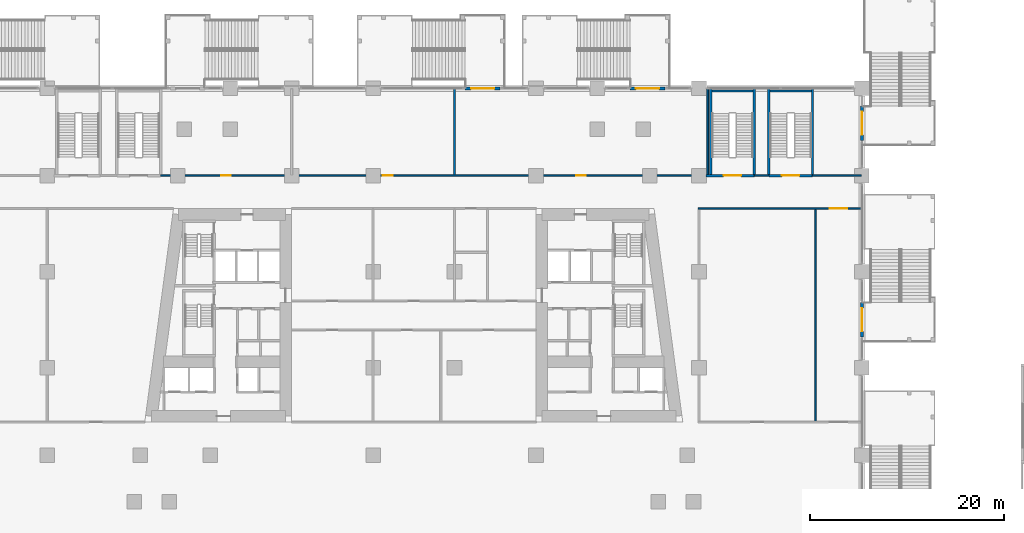
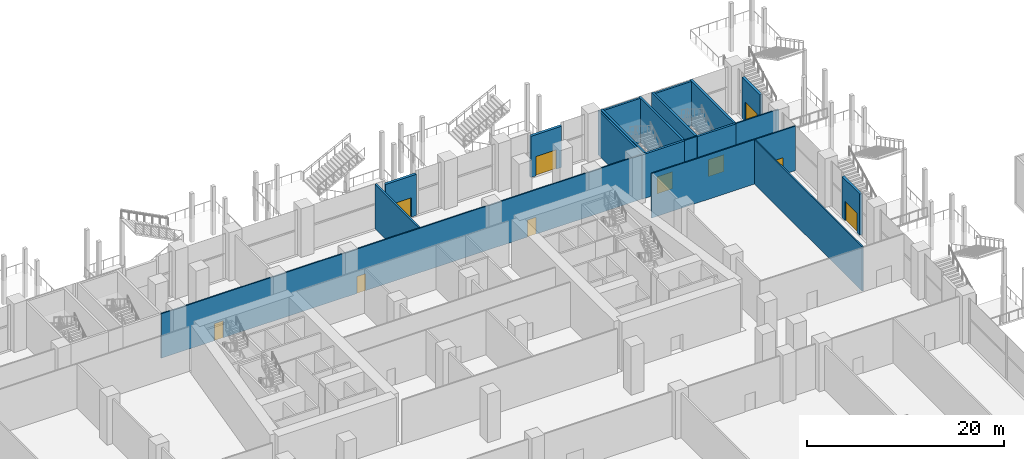
# One storey, part 28 of 49: 19 walls, 10 doors, 10 openings.
"""IFC4 building model written with IfcOpenShell, lengths in metres."""

import ifcopenshell
import ifcopenshell.guid

model = None  # the IFC model being written
_history = None  # IfcOwnerHistory: only IFC2X3 demands one
_inside = {}  # id of a spatial element -> (the spatial element, [elements in it])
_under = {}  # id of a project, library or spatial element -> (it, [spatial elements below it])
_declared = {}  # id of a project -> (the project, [libraries it declares])
_typed = {}  # id of a type object -> (the type object, [elements of that type])
_made_of = {}  # id of a material, layer set ... -> (it, [elements and type objects made of it])


def new_model(schema):
    """Start an empty IFC model of exactly this schema.

    Asked for "IFC4X3", IfcOpenShell would pick the latest addendum, in which some entities
    have other attributes; the version numbers below select the first issue.
    IFC2X3 requires an IfcOwnerHistory on every rooted entity: one is made here for all.
    """
    global model, _history
    if schema == "IFC4X3":
        model = ifcopenshell.file(schema_version=(4, 3, 0, 0))
    else:
        model = ifcopenshell.file(schema=schema)
    _inside.clear()
    _under.clear()
    _declared.clear()
    _typed.clear()
    _made_of.clear()
    _history = None
    if model.schema == "IFC2X3":
        org = make("IfcOrganization", Name="unknown")
        user = make(
            "IfcPersonAndOrganization",
            ThePerson=make("IfcPerson", FamilyName="unknown"),
            TheOrganization=org,
        )
        app = make(
            "IfcApplication",
            ApplicationDeveloper=org,
            Version="unknown",
            ApplicationFullName="unknown",
            ApplicationIdentifier="unknown",
        )
        _history = make(
            "IfcOwnerHistory",
            OwningUser=user,
            OwningApplication=app,
            ChangeAction="ADDED",
            CreationDate=0,
        )
    return model


def make(cls, **values):
    """One entity of the class cls with the attributes given. An attribute that is None is left unset."""
    return model.create_entity(
        cls, **{name: value for name, value in values.items() if value is not None}
    )


def rooted(cls, **values):
    """An entity with a GlobalId (a new one), such as an element, a storey or a relation."""
    return make(cls, GlobalId=ifcopenshell.guid.new(), OwnerHistory=_history, **values)


def si_unit(unit_type, name, prefix=None):
    """IfcSIUnit, for example si_unit("LENGTHUNIT", "METRE", prefix="MILLI")."""
    return make("IfcSIUnit", UnitType=unit_type, Prefix=prefix, Name=name)


def assignment(units):
    """IfcUnitAssignment: the units of a project."""
    return None if units is None else make("IfcUnitAssignment", Units=units)


def point(xyz):
    """IfcCartesianPoint."""
    return None if xyz is None else make("IfcCartesianPoint", Coordinates=xyz)


def direction(xyz):
    """IfcDirection."""
    return None if xyz is None else make("IfcDirection", DirectionRatios=xyz)


def frame(location, z_axis=None, x_axis=None):
    """IfcAxis2Placement3D, a coordinate frame: its origin and axes. An axis left out is left unset."""
    return make(
        "IfcAxis2Placement3D",
        Location=point(location),
        Axis=direction(z_axis),
        RefDirection=direction(x_axis),
    )


def frame_2d(location, x_axis=None):
    """IfcAxis2Placement2D, a coordinate frame in the plane: its origin and x axis."""
    return make(
        "IfcAxis2Placement2D", Location=point(location), RefDirection=direction(x_axis)
    )


def origin():
    """The frame at (0, 0, 0) with its axes left unset."""
    return frame((0.0, 0.0, 0.0))


def place(relative_to, where):
    """IfcLocalPlacement: puts the frame where relative to a parent placement (None: the world)."""
    return make(
        "IfcLocalPlacement", PlacementRelTo=relative_to, RelativePlacement=where
    )


def context(
    kind, dimensions, precision=None, world=None, true_north=None, identifier=None
):
    """IfcGeometricRepresentationContext, for example the 3D "Model" context."""
    return make(
        "IfcGeometricRepresentationContext",
        ContextIdentifier=identifier,
        ContextType=kind,
        CoordinateSpaceDimension=dimensions,
        Precision=precision,
        WorldCoordinateSystem=world,
        TrueNorth=true_north,
    )


def subcontext(parent, identifier, kind, view, scale=None):
    """IfcGeometricRepresentationSubContext, for example "Body" below "Model"."""
    return make(
        "IfcGeometricRepresentationSubContext",
        ContextIdentifier=identifier,
        ContextType=kind,
        ParentContext=parent,
        TargetScale=scale,
        TargetView=view,
    )


def project(units=None, contexts=None):
    """IfcProject with its units and contexts."""
    return rooted(
        "IfcProject",
        Name="project",
        RepresentationContexts=contexts,
        UnitsInContext=assignment(units),
    )


def spatial(cls, under=None, at=None, **own):
    """A site, building, storey or space (cls), placed at a placement, below another one or the project."""
    s = rooted(cls, ObjectPlacement=at, **own)
    if under is not None:
        _under.setdefault(under.id(), (under, []))[1].append(s)
    return s


def profile(cls, at=None, kind="AREA", **sizes):
    """A parametric profile (cls). Its sizes go by their IFC names, for example OverallWidth=200.0."""
    return make(cls, ProfileType=kind, Position=at, **sizes)


def rectangle(**sizes):
    """IfcRectangleProfileDef."""
    return profile("IfcRectangleProfileDef", **sizes)


def extrude(swept, where, along, depth):
    """IfcExtrudedAreaSolid: the profile swept, set in the frame where, extruded along a direction by depth."""
    return make(
        "IfcExtrudedAreaSolid",
        SweptArea=swept,
        Position=where,
        ExtrudedDirection=direction(along),
        Depth=depth,
    )


def shape(context_of_items, identifier, shape_type, items):
    """IfcShapeRepresentation: the items that make up one representation, for example the "Body"."""
    return make(
        "IfcShapeRepresentation",
        ContextOfItems=context_of_items,
        RepresentationIdentifier=identifier,
        RepresentationType=shape_type,
        Items=items,
    )


def material(Name=None, Category=None):
    """IfcMaterial."""
    return make("IfcMaterial", Name=Name, Category=Category)


def layer(
    of_material, thickness, ventilated=None, Name=None, Category=None, Priority=None
):
    """IfcMaterialLayer: one layer of a wall or slab, of a material (None: an air gap)."""
    return make(
        "IfcMaterialLayer",
        Material=of_material,
        LayerThickness=thickness,
        IsVentilated=ventilated,
        Name=Name,
        Category=Category,
        Priority=Priority,
    )


def layer_set(layers, Name=None):
    """IfcMaterialLayerSet."""
    return make("IfcMaterialLayerSet", MaterialLayers=layers, LayerSetName=Name)


def made_of(thing, what):
    """Note that an element or type object is made of a material, layer set ...; save() writes the relation."""
    if what is not None:
        _made_of.setdefault(what.id(), (what, []))[1].append(thing)
    return thing


def type_object(cls, material=None, **own):
    """A type object (cls), such as IfcWallType, which elements share."""
    return made_of(rooted(cls, **own), material)


def element(
    cls,
    number,
    at=None,
    inside=None,
    cuts=None,
    type_object=None,
    material=None,
    context=None,
    identifier="Body",
    shape_type=None,
    held_by="IfcProductDefinitionShape",
    body=None,
    shapes=None,
    **own,
):
    """One element of the class cls, such as IfcWall. Its Tag is "e" and its number.

    at: its placement. inside: the storey or other place that contains it. cuts: it is an
    opening in that element (IfcRelVoidsElement). A single representation is given by context,
    identifier, shape_type and body (its items); several are given by shapes. held_by: the class
    of the entity that holds the representations. save() writes the other relations.
    """
    e = rooted(cls, Tag="e%d" % number, ObjectPlacement=at, **own)
    if body is not None:
        shapes = [shape(context, identifier, shape_type, body)]
    if shapes is not None:
        e.Representation = make(held_by, Representations=shapes)
    if inside is not None:
        _inside.setdefault(inside.id(), (inside, []))[1].append(e)
    if cuts is not None:
        rooted(
            "IfcRelVoidsElement", RelatingBuildingElement=cuts, RelatedOpeningElement=e
        )
    if type_object is not None:
        _typed.setdefault(type_object.id(), (type_object, []))[1].append(e)
    return made_of(e, material)


def fill(opening, filler):
    """IfcRelFillsElement: the door or window that sits in an opening."""
    return rooted(
        "IfcRelFillsElement",
        RelatingOpeningElement=opening,
        RelatedBuildingElement=filler,
    )


def aggregate(whole, parts):
    """IfcRelAggregates: a whole, such as a stair, and the parts it consists of."""
    return rooted("IfcRelAggregates", RelatingObject=whole, RelatedObjects=parts)


def save(model, path):
    """Write the relations noted so far, then the file.

    IfcRelAggregates (storeys below a building ...), IfcRelContainedInSpatialStructure (elements
    in a storey), IfcRelDefinesByType, IfcRelAssociatesMaterial and IfcRelDeclares: one each for
    every whole, place, type object, material and project.
    """
    for whole, parts in _under.values():
        aggregate(whole, parts)
    for where, things in _inside.values():
        rooted(
            "IfcRelContainedInSpatialStructure",
            RelatedElements=things,
            RelatingStructure=where,
        )
    for kind, things in _typed.values():
        rooted("IfcRelDefinesByType", RelatedObjects=things, RelatingType=kind)
    for what, things in _made_of.values():
        rooted("IfcRelAssociatesMaterial", RelatedObjects=things, RelatingMaterial=what)
    for by, libraries in _declared.values():
        rooted("IfcRelDeclares", RelatingContext=by, RelatedDefinitions=libraries)
    model.write(path)


model = new_model("IFC4")

# Units and contexts
model_context = context("Model", 3, precision=1e-05, world=origin(), true_north=direction((0.0, 1.0)))
body_context = subcontext(model_context, "Body", "Model", "MODEL_VIEW")
ifc_project = project(units=[si_unit("LENGTHUNIT", "METRE"), si_unit("AREAUNIT", "SQUARE_METRE"), si_unit("VOLUMEUNIT", "CUBIC_METRE"), si_unit("PLANEANGLEUNIT", "RADIAN"), si_unit("MASSUNIT", "GRAM", prefix="KILO")], contexts=[model_context])

# Site, building, storey
site_placement = place(None, origin())
site = spatial("IfcSite", under=ifc_project, at=site_placement, CompositionType="ELEMENT")
building_placement = place(site_placement, origin())
building = spatial("IfcBuilding", under=site, at=building_placement, Name="Candeia Pilgrim Tower and Theatre", CompositionType="ELEMENT")
storey_placement = place(building_placement, frame((0.0, 0.0, 17.0)))
storey = spatial("IfcBuildingStorey", under=building, at=storey_placement, Name="L02", CompositionType="ELEMENT", Elevation=17.0)

# Wall, opening, door
ifc_material_1 = material(Name="Ceramic block masonry", Category="masonry")
ifc_layer_1 = layer(ifc_material_1, 0.300048828125)
ifc_layer_set_1 = layer_set([ifc_layer_1], Name="EW2 entrance infill wall 300")
wall_type_1 = type_object("IfcWallType", Name="EW2 entrance infill wall 300", PredefinedType="SOLIDWALL", material=ifc_layer_set_1)
wall_1_placement = place(storey_placement, frame((118.699951171875, 144.800048828125, 0.0), z_axis=(0.0, 0.0, 1.0), x_axis=(1.0, 0.0, 0.0)))
wall_1 = element("IfcWall", 1, at=wall_1_placement, inside=storey, type_object=wall_type_1, Name="Entrance wall L02", PredefinedType="SOLIDWALL", context=body_context, shape_type="SweptSolid", body=[
    extrude(rectangle(XDim=3.60009765625, YDim=0.300048828125, at=frame_2d((1.800048828125, 0.0))), origin(), (0.0, 0.0, 1.0), 5.10009765625),
])
opening_1_placement = place(wall_1_placement, frame((0.60009765625, 0.0, 0.0)))
opening_1 = element("IfcOpeningElement", 2, at=opening_1_placement, cuts=wall_1, Name="Opening L02-ED051", PredefinedType="OPENING", context=body_context, shape_type="SweptSolid", body=[
    extrude(rectangle(XDim=2.39990234375, YDim=2.39990234375, at=frame_2d((1.199951171875, 1.199951171875))), frame((0.0, 0.16015625, 0.0), z_axis=(0.0, -1.0, 0.0), x_axis=(1.0, 0.0, 0.0)), (0.0, 0.0, 1.0), 0.320068359375),
])
ifc_material_2 = material(Name="Aluminium framed glazed door", Category="aluminium")
door_type_1 = type_object("IfcDoorType", Name="ED entrance double door 2400x2400", OperationType="DOUBLE_DOOR_DOUBLE_SWING", PredefinedType="DOOR", material=ifc_material_2)
door_1_placement = place(opening_1_placement, origin())
door_1 = element("IfcDoor", 3, at=door_1_placement, inside=storey, type_object=door_type_1, Name="Entrance door L02-ED051", OperationType="DOUBLE_DOOR_DOUBLE_SWING", OverallHeight=2.39990234375, OverallWidth=2.39990234375, PredefinedType="DOOR", context=body_context, shape_type="SweptSolid", body=[
    extrude(rectangle(XDim=2.39990234375, YDim=2.39990234375, at=frame_2d((1.199951171875, 1.199951171875))), frame((0.0, 0.02490234375, 0.0), z_axis=(0.0, -1.0, 0.0), x_axis=(1.0, 0.0, 0.0)), (0.0, 0.0, 1.0), 0.050048828125),
])
fill(opening_1, door_1)

wall_2_placement = place(storey_placement, frame((135.699951171875, 144.800048828125, 0.0), z_axis=(0.0, 0.0, 1.0), x_axis=(1.0, 0.0, 0.0)))
wall_2 = element("IfcWall", 4, at=wall_2_placement, inside=storey, type_object=wall_type_1, Name="Entrance wall L02", PredefinedType="SOLIDWALL", context=body_context, shape_type="SweptSolid", body=[
    extrude(rectangle(XDim=3.60009765625, YDim=0.300048828125, at=frame_2d((1.800048828125, 0.0))), origin(), (0.0, 0.0, 1.0), 5.10009765625),
])
opening_2_placement = place(wall_2_placement, frame((0.60009765625, 0.0, 0.0)))
opening_2 = element("IfcOpeningElement", 5, at=opening_2_placement, cuts=wall_2, Name="Opening L02-ED052", PredefinedType="OPENING", context=body_context, shape_type="SweptSolid", body=[
    extrude(rectangle(XDim=2.39990234375, YDim=2.39990234375, at=frame_2d((1.199951171875, 1.199951171875))), frame((0.0, 0.16015625, 0.0), z_axis=(0.0, -1.0, 0.0), x_axis=(1.0, 0.0, 0.0)), (0.0, 0.0, 1.0), 0.320068359375),
])
door_2_placement = place(opening_2_placement, origin())
door_2 = element("IfcDoor", 6, at=door_2_placement, inside=storey, type_object=door_type_1, Name="Entrance door L02-ED052", OperationType="DOUBLE_DOOR_DOUBLE_SWING", OverallHeight=2.39990234375, OverallWidth=2.39990234375, PredefinedType="DOOR", context=body_context, shape_type="SweptSolid", body=[
    extrude(rectangle(XDim=2.39990234375, YDim=2.39990234375, at=frame_2d((1.199951171875, 1.199951171875))), frame((0.0, 0.02490234375, 0.0), z_axis=(0.0, -1.0, 0.0), x_axis=(1.0, 0.0, 0.0)), (0.0, 0.0, 1.0), 0.050048828125),
])
fill(opening_2, door_2)

wall_3_placement = place(storey_placement, frame((159.60009765625, 143.0, 0.0), z_axis=(0.0, 0.0, 1.0), x_axis=(0.0, -1.0, 0.0)))
wall_3 = element("IfcWall", 7, at=wall_3_placement, inside=storey, type_object=wall_type_1, Name="Entrance wall L02", PredefinedType="SOLIDWALL", context=body_context, shape_type="SweptSolid", body=[
    extrude(rectangle(XDim=3.60009765625, YDim=0.300048828125, at=frame_2d((1.800048828125, 0.0))), origin(), (0.0, 0.0, 1.0), 5.10009765625),
])
opening_3_placement = place(wall_3_placement, frame((0.60009765625, 0.0, 0.0)))
opening_3 = element("IfcOpeningElement", 8, at=opening_3_placement, cuts=wall_3, Name="Opening L02-ED053", PredefinedType="OPENING", context=body_context, shape_type="SweptSolid", body=[
    extrude(rectangle(XDim=2.39990234375, YDim=2.39990234375, at=frame_2d((1.199951171875, 1.199951171875))), frame((0.0, 0.16015625, 0.0), z_axis=(0.0, -1.0, 0.0), x_axis=(1.0, 0.0, 0.0)), (0.0, 0.0, 1.0), 0.320068359375),
])
door_3_placement = place(opening_3_placement, origin())
door_3 = element("IfcDoor", 9, at=door_3_placement, inside=storey, type_object=door_type_1, Name="Entrance door L02-ED053", OperationType="DOUBLE_DOOR_DOUBLE_SWING", OverallHeight=2.39990234375, OverallWidth=2.39990234375, PredefinedType="DOOR", context=body_context, shape_type="SweptSolid", body=[
    extrude(rectangle(XDim=2.39990234375, YDim=2.39990234375, at=frame_2d((1.199951171875, 1.199951171875))), frame((0.0, 0.02490234375, 0.0), z_axis=(0.0, -1.0, 0.0), x_axis=(1.0, 0.0, 0.0)), (0.0, 0.0, 1.0), 0.050048828125),
])
fill(opening_3, door_3)

wall_4_placement = place(storey_placement, frame((159.60009765625, 122.75, 0.0), z_axis=(0.0, 0.0, 1.0), x_axis=(0.0, -1.0, 0.0)))
wall_4 = element("IfcWall", 10, at=wall_4_placement, inside=storey, type_object=wall_type_1, Name="Entrance wall L02", PredefinedType="SOLIDWALL", context=body_context, shape_type="SweptSolid", body=[
    extrude(rectangle(XDim=3.60009765625, YDim=0.300048828125, at=frame_2d((1.800048828125, 0.0))), origin(), (0.0, 0.0, 1.0), 5.10009765625),
])
opening_4_placement = place(wall_4_placement, frame((0.60009765625, 0.0, 0.0)))
opening_4 = element("IfcOpeningElement", 11, at=opening_4_placement, cuts=wall_4, Name="Opening L02-ED054", PredefinedType="OPENING", context=body_context, shape_type="SweptSolid", body=[
    extrude(rectangle(XDim=2.39990234375, YDim=2.39990234375, at=frame_2d((1.199951171875, 1.199951171875))), frame((0.0, 0.16015625, 0.0), z_axis=(0.0, -1.0, 0.0), x_axis=(1.0, 0.0, 0.0)), (0.0, 0.0, 1.0), 0.320068359375),
])
door_4_placement = place(opening_4_placement, origin())
door_4 = element("IfcDoor", 12, at=door_4_placement, inside=storey, type_object=door_type_1, Name="Entrance door L02-ED054", OperationType="DOUBLE_DOOR_DOUBLE_SWING", OverallHeight=2.39990234375, OverallWidth=2.39990234375, PredefinedType="DOOR", context=body_context, shape_type="SweptSolid", body=[
    extrude(rectangle(XDim=2.39990234375, YDim=2.39990234375, at=frame_2d((1.199951171875, 1.199951171875))), frame((0.0, 0.02490234375, 0.0), z_axis=(0.0, -1.0, 0.0), x_axis=(1.0, 0.0, 0.0)), (0.0, 0.0, 1.0), 0.050048828125),
])
fill(opening_4, door_4)

ifc_material_3 = material(Name="Gypsum board partition on steel studs", Category="steel")
ifc_layer_2 = layer(ifc_material_3, 0.14990234375)
ifc_layer_set_2 = layer_set([ifc_layer_2], Name="PW-150 unit wall")
wall_type_2 = type_object("IfcWallType", Name="PW-150 unit wall", PredefinedType="PARTITIONING", material=ifc_layer_set_2)
wall_5_placement = place(storey_placement, frame((142.699951171875, 132.39990234375, 0.0), z_axis=(0.0, 0.0, 1.0), x_axis=(1.0, 0.0, 0.0)))
wall_5 = element("IfcWall", 13, at=wall_5_placement, inside=storey, type_object=wall_type_2, Name="Unit wall L02-034", PredefinedType="PARTITIONING", context=body_context, shape_type="SweptSolid", body=[
    extrude(rectangle(XDim=16.85009765625, YDim=0.14990234375, at=frame_2d((8.425048828125, 0.0))), origin(), (0.0, 0.0, 1.0), 5.5),
])
opening_5_placement = place(wall_5_placement, frame((13.60009765625, 0.0, 0.0)))
opening_5 = element("IfcOpeningElement", 14, at=opening_5_placement, cuts=wall_5, Name="Opening L02-D029", PredefinedType="OPENING", context=body_context, shape_type="SweptSolid", body=[
    extrude(rectangle(XDim=1.800048828125, YDim=2.10009765625, at=frame_2d((0.89990234375, 1.050048828125))), frame((0.0, 0.0849609375, 0.0), z_axis=(0.0, -1.0, 0.0), x_axis=(1.0, 0.0, 0.0)), (0.0, 0.0, 1.0), 0.169921875),
])
ifc_material_4 = material(Name="Steel fire door set", Category="steel")
door_type_2 = type_object("IfcDoorType", Name="D-1800-FD60", OperationType="NOTDEFINED", PredefinedType="DOOR", material=ifc_material_4)
door_5_placement = place(opening_5_placement, origin())
door_5 = element("IfcDoor", 15, at=door_5_placement, inside=storey, type_object=door_type_2, Name="Door L02-D029", OperationType="SINGLE_SWING_LEFT", OverallHeight=2.10009765625, OverallWidth=1.800048828125, PredefinedType="DOOR", context=body_context, shape_type="SweptSolid", body=[
    extrude(rectangle(XDim=1.800048828125, YDim=2.10009765625, at=frame_2d((0.89990234375, 1.050048828125))), frame((0.0, 0.02490234375, 0.0), z_axis=(0.0, -1.0, 0.0), x_axis=(1.0, 0.0, 0.0)), (0.0, 0.0, 1.0), 0.050048828125),
])
fill(opening_5, door_5)

# Wall, openings, doors
wall_6_placement = place(storey_placement, frame((87.300048828125, 135.800048828125, 0.0), z_axis=(0.0, 0.0, 1.0), x_axis=(1.0, 0.0, 0.0)))
wall_6 = element("IfcWall", 16, at=wall_6_placement, inside=storey, type_object=wall_type_2, Name="Unit wall L02-041", PredefinedType="PARTITIONING", context=body_context, shape_type="SweptSolid", body=[
    extrude(rectangle(XDim=56.219970703125, YDim=0.14990234375, at=frame_2d((28.10986328125, 0.0))), origin(), (0.0, 0.0, 1.0), 5.5),
])
opening_6_placement = place(wall_6_placement, frame((6.25, 0.0, 0.0)))
opening_6 = element("IfcOpeningElement", 17, at=opening_6_placement, cuts=wall_6, Name="Opening L02-D023", PredefinedType="OPENING", context=body_context, shape_type="SweptSolid", body=[
    extrude(rectangle(XDim=1.0, YDim=2.10009765625, at=frame_2d((0.5, 1.050048828125))), frame((0.0, 0.0849609375, 0.0), z_axis=(0.0, -1.0, 0.0), x_axis=(1.0, 0.0, 0.0)), (0.0, 0.0, 1.0), 0.169921875),
])
opening_7_placement = place(wall_6_placement, frame((22.909912109375, 0.0, 0.0)))
opening_7 = element("IfcOpeningElement", 18, at=opening_7_placement, cuts=wall_6, Name="Opening L02-D024", PredefinedType="OPENING", context=body_context, shape_type="SweptSolid", body=[
    extrude(rectangle(XDim=1.0, YDim=2.10009765625, at=frame_2d((0.5, 1.050048828125))), frame((0.0, 0.0849609375, 0.0), z_axis=(0.0, -1.0, 0.0), x_axis=(1.0, 0.0, 0.0)), (0.0, 0.0, 1.0), 0.169921875),
])
opening_8_placement = place(wall_6_placement, frame((42.85009765625, 0.0, 0.0)))
opening_8 = element("IfcOpeningElement", 19, at=opening_8_placement, cuts=wall_6, Name="Opening L02-D025", PredefinedType="OPENING", context=body_context, shape_type="SweptSolid", body=[
    extrude(rectangle(XDim=1.0, YDim=2.10009765625, at=frame_2d((0.5, 1.050048828125))), frame((0.0, 0.0849609375, 0.0), z_axis=(0.0, -1.0, 0.0), x_axis=(1.0, 0.0, 0.0)), (0.0, 0.0, 1.0), 0.169921875),
])
door_type_3 = type_object("IfcDoorType", Name="D-1000-FD30S", OperationType="NOTDEFINED", PredefinedType="DOOR", material=ifc_material_4)
door_6_placement = place(opening_6_placement, origin())
door_6 = element("IfcDoor", 20, at=door_6_placement, inside=storey, type_object=door_type_3, Name="Door L02-D023", OperationType="SINGLE_SWING_LEFT", OverallHeight=2.10009765625, OverallWidth=1.0, PredefinedType="DOOR", context=body_context, shape_type="SweptSolid", body=[
    extrude(rectangle(XDim=1.0, YDim=2.10009765625, at=frame_2d((0.5, 1.050048828125))), frame((0.0, 0.02490234375, 0.0), z_axis=(0.0, -1.0, 0.0), x_axis=(1.0, 0.0, 0.0)), (0.0, 0.0, 1.0), 0.050048828125),
])
fill(opening_6, door_6)
door_7_placement = place(opening_7_placement, origin())
door_7 = element("IfcDoor", 21, at=door_7_placement, inside=storey, type_object=door_type_3, Name="Door L02-D024", OperationType="SINGLE_SWING_RIGHT", OverallHeight=2.10009765625, OverallWidth=1.0, PredefinedType="DOOR", context=body_context, shape_type="SweptSolid", body=[
    extrude(rectangle(XDim=1.0, YDim=2.10009765625, at=frame_2d((0.5, 1.050048828125))), frame((0.0, 0.02490234375, 0.0), z_axis=(0.0, -1.0, 0.0), x_axis=(1.0, 0.0, 0.0)), (0.0, 0.0, 1.0), 0.050048828125),
])
fill(opening_7, door_7)
door_8_placement = place(opening_8_placement, origin())
door_8 = element("IfcDoor", 22, at=door_8_placement, inside=storey, type_object=door_type_3, Name="Door L02-D025", OperationType="SINGLE_SWING_LEFT", OverallHeight=2.10009765625, OverallWidth=1.0, PredefinedType="DOOR", context=body_context, shape_type="SweptSolid", body=[
    extrude(rectangle(XDim=1.0, YDim=2.10009765625, at=frame_2d((0.5, 1.050048828125))), frame((0.0, 0.02490234375, 0.0), z_axis=(0.0, -1.0, 0.0), x_axis=(1.0, 0.0, 0.0)), (0.0, 0.0, 1.0), 0.050048828125),
])
fill(opening_8, door_8)

# Walls
wall_7_placement = place(storey_placement, frame((148.5, 135.800048828125, 0.0), z_axis=(0.0, 0.0, 1.0), x_axis=(1.0, 0.0, 0.0)))
element("IfcWall", 23, at=wall_7_placement, inside=storey, type_object=wall_type_2, Name="Unit wall L02-042", PredefinedType="PARTITIONING", context=body_context, shape_type="SweptSolid", body=[
    extrude(rectangle(XDim=1.5, YDim=0.14990234375, at=frame_2d((0.75, 0.0))), origin(), (0.0, 0.0, 1.0), 5.5),
])
wall_8_placement = place(storey_placement, frame((154.5, 135.800048828125, 0.0), z_axis=(0.0, 0.0, 1.0), x_axis=(1.0, 0.0, 0.0)))
element("IfcWall", 24, at=wall_8_placement, inside=storey, type_object=wall_type_2, Name="Unit wall L02-043", PredefinedType="PARTITIONING", context=body_context, shape_type="SweptSolid", body=[
    extrude(rectangle(XDim=5.050048828125, YDim=0.14990234375, at=frame_2d((2.52490234375, 0.0))), origin(), (0.0, 0.0, 1.0), 5.5),
])
wall_9_placement = place(storey_placement, frame((154.800048828125, 110.47509765625, 0.0), z_axis=(0.0, 0.0, 1.0), x_axis=(0.0, 1.0, 0.0)))
element("IfcWall", 25, at=wall_9_placement, inside=storey, type_object=wall_type_2, Name="Unit wall L02-101", PredefinedType="PARTITIONING", context=body_context, shape_type="SweptSolid", body=[
    extrude(rectangle(XDim=21.849853515625, YDim=0.14990234375, at=frame_2d((10.9248046875, 0.0))), origin(), (0.0, 0.0, 1.0), 5.5),
])
ifc_layer_3 = layer(ifc_material_3, 0.199951171875)
ifc_layer_set_3 = layer_set([ifc_layer_3], Name="PW-200 party wall")
wall_type_3 = type_object("IfcWallType", Name="PW-200 party wall", PredefinedType="PARTITIONING", material=ifc_layer_set_3)
for number, where, z_axis, x_axis, name in (
    (26, (117.60009765625, 135.875, 0.0), (0.0, 0.0, 1.0), (0.0, 1.0, 0.0), "Party wall L02-073"),
    (27, (143.699951171875, 135.875, 0.0), (0.0, 0.0, 1.0), (0.0, 1.0, 0.0), "Party wall L02-095"),
):
    element("IfcWall", number, at=place(storey_placement, frame(where, z_axis=z_axis, x_axis=x_axis)), inside=storey, type_object=wall_type_3, Name=name, PredefinedType="PARTITIONING", context=body_context, shape_type="SweptSolid", body=[
        extrude(rectangle(XDim=8.875, YDim=0.199951171875, at=frame_2d((4.4375, 0.0))), origin(), (0.0, 0.0, 1.0), 5.5),
    ])

# Wall, opening, door
ifc_material_5 = material(Name="Concrete C40/50", Category="concrete")
ifc_layer_4 = layer(ifc_material_5, 0.25)
ifc_layer_set_4 = layer_set([ifc_layer_4], Name="SW-250 stair wall")
wall_type_4 = type_object("IfcWallType", Name="SW-250 stair wall", PredefinedType="PARTITIONING", material=ifc_layer_set_4)
wall_10_placement = place(storey_placement, frame((143.52001953125, 135.800048828125, 0.0), z_axis=(0.0, 0.0, 1.0), x_axis=(1.0, 0.0, 0.0)))
wall_10 = element("IfcWall", 28, at=wall_10_placement, inside=storey, type_object=wall_type_4, Name="Stair wall L02-037", PredefinedType="PARTITIONING", context=body_context, shape_type="SweptSolid", body=[
    extrude(rectangle(XDim=4.97998046875, YDim=0.25, at=frame_2d((2.489990234375, 0.0))), origin(), (0.0, 0.0, 1.0), 5.5),
])
opening_9_placement = place(wall_10_placement, frame((1.830078125, 0.0, 0.0)))
opening_9 = element("IfcOpeningElement", 29, at=opening_9_placement, cuts=wall_10, Name="Opening L02-D020", PredefinedType="OPENING", context=body_context, shape_type="SweptSolid", body=[
    extrude(rectangle(XDim=1.800048828125, YDim=2.10009765625, at=frame_2d((0.89990234375, 1.050048828125))), frame((0.0, 0.135009765625, 0.0), z_axis=(0.0, -1.0, 0.0), x_axis=(1.0, 0.0, 0.0)), (0.0, 0.0, 1.0), 0.27001953125),
])
ifc_material_6 = material(Name="Steel exit door", Category="steel")
door_type_4 = type_object("IfcDoorType", Name="DX-1800-FD60", OperationType="NOTDEFINED", PredefinedType="DOOR", material=ifc_material_6)
door_9_placement = place(opening_9_placement, origin())
door_9 = element("IfcDoor", 30, at=door_9_placement, inside=storey, type_object=door_type_4, Name="Door L02-D020", OperationType="SINGLE_SWING_RIGHT", OverallHeight=2.10009765625, OverallWidth=1.800048828125, PredefinedType="DOOR", context=body_context, shape_type="SweptSolid", body=[
    extrude(rectangle(XDim=1.800048828125, YDim=2.10009765625, at=frame_2d((0.89990234375, 1.050048828125))), frame((0.0, 0.02490234375, 0.0), z_axis=(0.0, -1.0, 0.0), x_axis=(1.0, 0.0, 0.0)), (0.0, 0.0, 1.0), 0.050048828125),
])
fill(opening_9, door_9)

wall_11_placement = place(storey_placement, frame((150.0, 135.800048828125, 0.0), z_axis=(0.0, 0.0, 1.0), x_axis=(1.0, 0.0, 0.0)))
wall_11 = element("IfcWall", 31, at=wall_11_placement, inside=storey, type_object=wall_type_4, Name="Stair wall L02-038", PredefinedType="PARTITIONING", context=body_context, shape_type="SweptSolid", body=[
    extrude(rectangle(XDim=4.5, YDim=0.25, at=frame_2d((2.25, 0.0))), origin(), (0.0, 0.0, 1.0), 5.5),
])
opening_10_placement = place(wall_11_placement, frame((1.35009765625, 0.0, 0.0)))
opening_10 = element("IfcOpeningElement", 32, at=opening_10_placement, cuts=wall_11, Name="Opening L02-D021", PredefinedType="OPENING", context=body_context, shape_type="SweptSolid", body=[
    extrude(rectangle(XDim=1.800048828125, YDim=2.10009765625, at=frame_2d((0.89990234375, 1.050048828125))), frame((0.0, 0.135009765625, 0.0), z_axis=(0.0, -1.0, 0.0), x_axis=(1.0, 0.0, 0.0)), (0.0, 0.0, 1.0), 0.27001953125),
])
door_10_placement = place(opening_10_placement, origin())
door_10 = element("IfcDoor", 33, at=door_10_placement, inside=storey, type_object=door_type_4, Name="Door L02-D021", OperationType="SINGLE_SWING_LEFT", OverallHeight=2.10009765625, OverallWidth=1.800048828125, PredefinedType="DOOR", context=body_context, shape_type="SweptSolid", body=[
    extrude(rectangle(XDim=1.800048828125, YDim=2.10009765625, at=frame_2d((0.89990234375, 1.050048828125))), frame((0.0, 0.02490234375, 0.0), z_axis=(0.0, -1.0, 0.0), x_axis=(1.0, 0.0, 0.0)), (0.0, 0.0, 1.0), 0.050048828125),
])
fill(opening_10, door_10)

# Walls
for number, where, z_axis, x_axis, name in (
    (34, (144.0, 135.925048828125, 0.0), (0.0, 0.0, 1.0), (0.0, 1.0, 0.0), "Stair wall L02-096"),
    (35, (148.5, 135.925048828125, 0.0), (0.0, 0.0, 1.0), (0.0, 1.0, 0.0), "Stair wall L02-097"),
    (36, (150.0, 135.925048828125, 0.0), (0.0, 0.0, 1.0), (0.0, 1.0, 0.0), "Stair wall L02-098"),
    (37, (154.5, 135.925048828125, 0.0), (0.0, 0.0, 1.0), (0.0, 1.0, 0.0), "Stair wall L02-100"),
):
    element("IfcWall", number, at=place(storey_placement, frame(where, z_axis=z_axis, x_axis=x_axis)), inside=storey, type_object=wall_type_4, Name=name, PredefinedType="PARTITIONING", context=body_context, shape_type="SweptSolid", body=[
        extrude(rectangle(XDim=8.824951171875, YDim=0.25, at=frame_2d((4.41259765625, 0.0))), origin(), (0.0, 0.0, 1.0), 5.5),
    ])
for number, where, z_axis, x_axis, name in (
    (38, (144.125, 144.53759765625, 0.0), (0.0, 0.0, 1.0), (1.0, 0.0, 0.0), "Stair back wall PS3 L02"),
    (39, (150.125, 144.53759765625, 0.0), (0.0, 0.0, 1.0), (1.0, 0.0, 0.0), "Stair back wall PS4 L02"),
):
    element("IfcWall", number, at=place(storey_placement, frame(where, z_axis=z_axis, x_axis=x_axis)), inside=storey, type_object=wall_type_4, Name=name, PredefinedType="PARTITIONING", context=body_context, shape_type="SweptSolid", body=[
        extrude(rectangle(XDim=4.25, YDim=0.22509765625, at=frame_2d((2.125, 0.0))), origin(), (0.0, 0.0, 1.0), 5.5),
    ])

save(model, "model.ifc")
